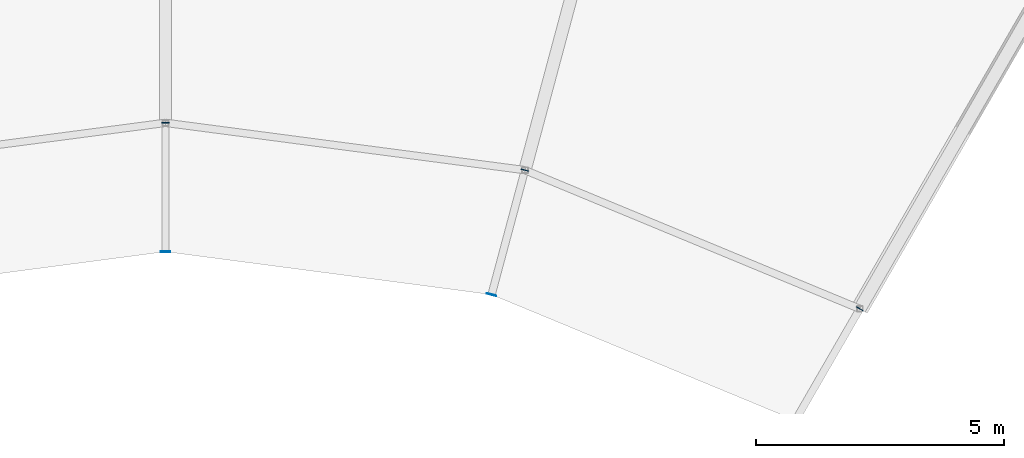
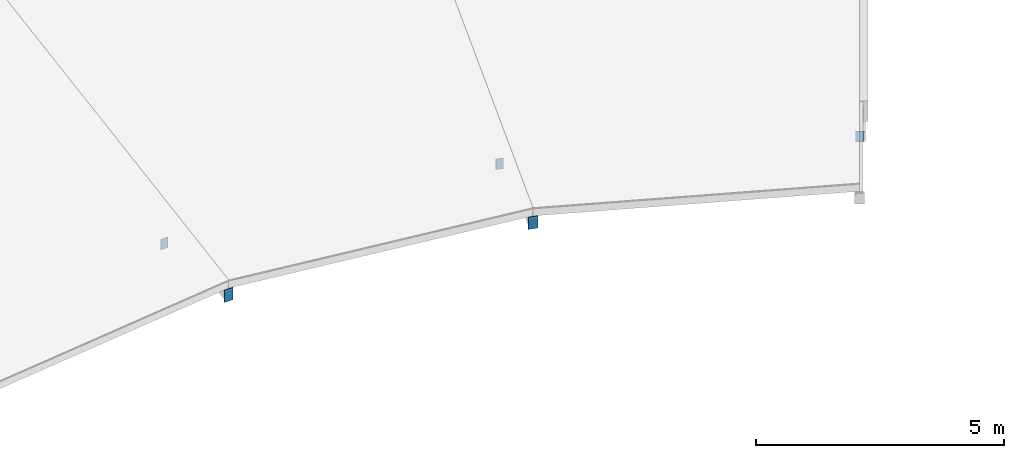
# One storey, part 49 of 70: 5 plates.
"""IFC4 building model written with IfcOpenShell, lengths in metres."""

from ifc_helpers import new_model, si_unit, direction, frame, origin, origin_2d, place, context, subcontext, project, spatial, rectangle, extrude, material, layer, layer_set, type_object, element, save


model = new_model("IFC4")

# Units and contexts
model_context = context("Model", 3, precision=1e-05, world=origin(), true_north=direction((0.0, 1.0)))
body_context = subcontext(model_context, "Body", "Model", "MODEL_VIEW")
ifc_project = project(units=[si_unit("LENGTHUNIT", "METRE"), si_unit("AREAUNIT", "SQUARE_METRE"), si_unit("VOLUMEUNIT", "CUBIC_METRE"), si_unit("PLANEANGLEUNIT", "RADIAN"), si_unit("MASSUNIT", "GRAM", prefix="KILO")], contexts=[model_context])

# Site, building, storey
site_placement = place(None, origin())
site = spatial("IfcSite", under=ifc_project, at=site_placement, CompositionType="ELEMENT")
building_placement = place(site_placement, origin())
building = spatial("IfcBuilding", under=site, at=building_placement, Name="Vondelvale Polytechnic", CompositionType="ELEMENT")
storey_placement = place(building_placement, frame((0.0, 0.0, 22.199951171875)))
storey = spatial("IfcBuildingStorey", under=building, at=storey_placement, Name="L05", CompositionType="ELEMENT", Elevation=22.199951171875)

# Plates
ifc_material = material(Name="Steel Grade 350 (fy = 340 MPa)", Category="steel")
ifc_layer_1 = layer(ifc_material, 0.01611328125)
ifc_layer_set_1 = layer_set([ifc_layer_1], Name="PLATE-CAP-300x200")
plate_type_1 = type_object("IfcPlateType", Name="PLATE-CAP-300x200", PredefinedType="USERDEFINED", material=ifc_layer_set_1)
for number, where, z_axis, x_axis, name in (
    (1, (108.573974609375, 96.534423828125, -0.18408203125), (0.0, 0.0, 1.0), (-0.258819045103, -0.965925826289, 0.0), "Ring rafter hollow end cap plate 05I"),
    (2, (102.0, 97.39990234375, -0.18408203125), (0.0, 0.0, 1.0), (0.0, -1.0, 0.0), "Ring rafter hollow end cap plate 06I"),
):
    element("IfcPlate", number, at=place(storey_placement, frame(where, z_axis=z_axis, x_axis=x_axis)), inside=storey, type_object=plate_type_1, Name=name, ObjectType="CAP_PLATE", PredefinedType="USERDEFINED", context=body_context, shape_type="SweptSolid", body=[
        extrude(rectangle(XDim=0.01611328125, YDim=0.199951171875, at=origin_2d()), origin(), (0.0, 0.0, 1.0), 0.300048828125),
    ])
ifc_layer_2 = layer(ifc_material, 0.013916015625)
ifc_layer_set_2 = layer_set([ifc_layer_2], Name="PLATE-CAP-C03")
plate_type_2 = type_object("IfcPlateType", Name="PLATE-CAP-C03", PredefinedType="USERDEFINED", material=ifc_layer_set_2)
for number, where, z_axis, x_axis, name in (
    (3, (116.0, 96.248779296875, -0.47998046875), (0.0, 0.0, 1.0), (-0.5, -0.866025403784, 0.0), "Ring workshop truss chord end cap 04I"),
    (4, (109.246826171875, 99.0458984375, -0.47998046875), (0.0, 0.0, 1.0), (-0.258819045103, -0.965925826289, 0.0), "Ring workshop truss chord end cap 05I"),
    (5, (102.0, 100.0, -0.47998046875), (0.0, 0.0, 1.0), (0.0, -1.0, 0.0), "Ring workshop truss chord end cap 06I"),
):
    element("IfcPlate", number, at=place(storey_placement, frame(where, z_axis=z_axis, x_axis=x_axis)), inside=storey, type_object=plate_type_2, Name=name, ObjectType="CAP_PLATE", PredefinedType="USERDEFINED", context=body_context, shape_type="SweptSolid", body=[
        extrude(rectangle(XDim=0.013916015625, YDim=0.159912109375, at=origin_2d()), origin(), (0.0, 0.0, 1.0), 0.260009765625),
    ])

save(model, "model.ifc")
